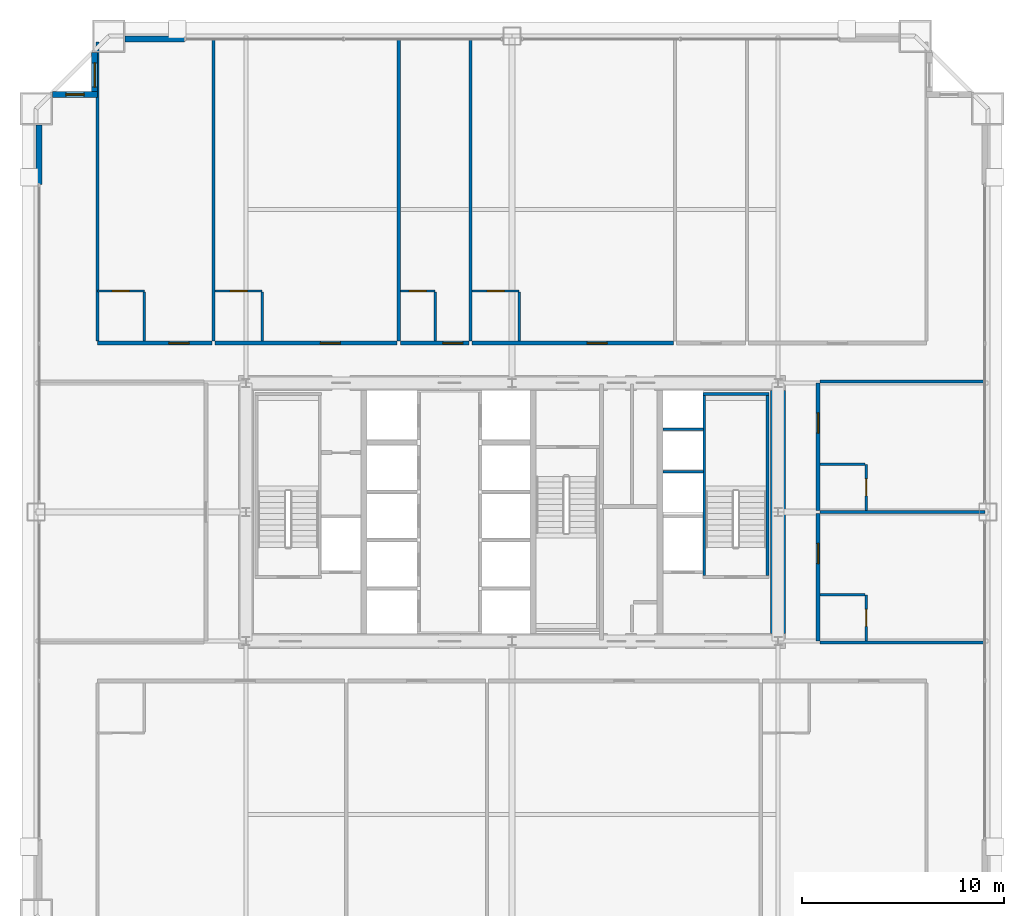
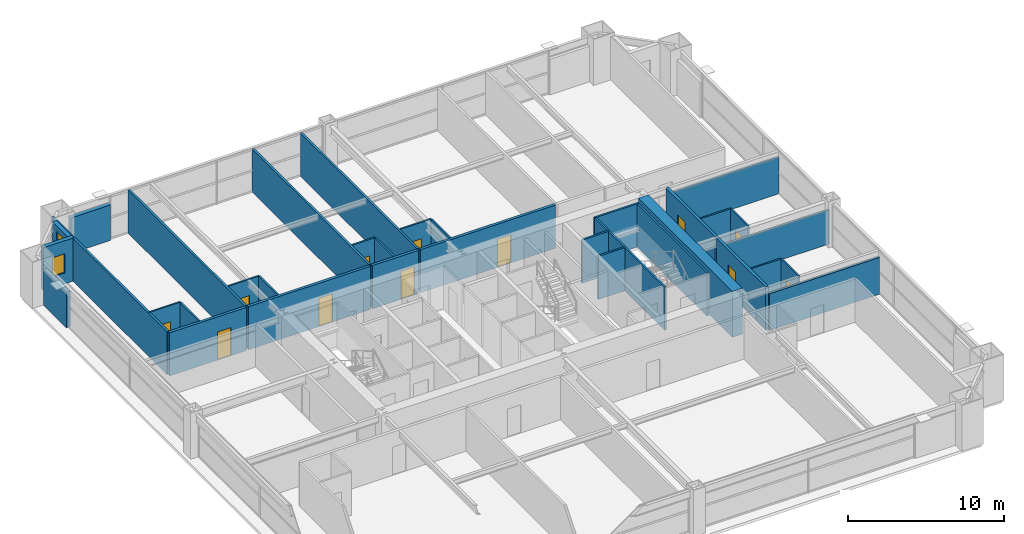
# One storey, part 36 of 38: 35 walls, 12 doors, 2 windows, 14 openings.
"""IFC4 building model written with IfcOpenShell, lengths in metres."""

import ifcopenshell
import ifcopenshell.guid

model = None  # the IFC model being written
_history = None  # IfcOwnerHistory: only IFC2X3 demands one
_inside = {}  # id of a spatial element -> (the spatial element, [elements in it])
_under = {}  # id of a project, library or spatial element -> (it, [spatial elements below it])
_declared = {}  # id of a project -> (the project, [libraries it declares])
_typed = {}  # id of a type object -> (the type object, [elements of that type])
_made_of = {}  # id of a material, layer set ... -> (it, [elements and type objects made of it])


def new_model(schema):
    """Start an empty IFC model of exactly this schema.

    Asked for "IFC4X3", IfcOpenShell would pick the latest addendum, in which some entities
    have other attributes; the version numbers below select the first issue.
    IFC2X3 requires an IfcOwnerHistory on every rooted entity: one is made here for all.
    """
    global model, _history
    if schema == "IFC4X3":
        model = ifcopenshell.file(schema_version=(4, 3, 0, 0))
    else:
        model = ifcopenshell.file(schema=schema)
    _inside.clear()
    _under.clear()
    _declared.clear()
    _typed.clear()
    _made_of.clear()
    _history = None
    if model.schema == "IFC2X3":
        org = make("IfcOrganization", Name="unknown")
        user = make(
            "IfcPersonAndOrganization",
            ThePerson=make("IfcPerson", FamilyName="unknown"),
            TheOrganization=org,
        )
        app = make(
            "IfcApplication",
            ApplicationDeveloper=org,
            Version="unknown",
            ApplicationFullName="unknown",
            ApplicationIdentifier="unknown",
        )
        _history = make(
            "IfcOwnerHistory",
            OwningUser=user,
            OwningApplication=app,
            ChangeAction="ADDED",
            CreationDate=0,
        )
    return model


def make(cls, **values):
    """One entity of the class cls with the attributes given. An attribute that is None is left unset."""
    return model.create_entity(
        cls, **{name: value for name, value in values.items() if value is not None}
    )


def rooted(cls, **values):
    """An entity with a GlobalId (a new one), such as an element, a storey or a relation."""
    return make(cls, GlobalId=ifcopenshell.guid.new(), OwnerHistory=_history, **values)


def si_unit(unit_type, name, prefix=None):
    """IfcSIUnit, for example si_unit("LENGTHUNIT", "METRE", prefix="MILLI")."""
    return make("IfcSIUnit", UnitType=unit_type, Prefix=prefix, Name=name)


def assignment(units):
    """IfcUnitAssignment: the units of a project."""
    return None if units is None else make("IfcUnitAssignment", Units=units)


def point(xyz):
    """IfcCartesianPoint."""
    return None if xyz is None else make("IfcCartesianPoint", Coordinates=xyz)


def direction(xyz):
    """IfcDirection."""
    return None if xyz is None else make("IfcDirection", DirectionRatios=xyz)


def frame(location, z_axis=None, x_axis=None):
    """IfcAxis2Placement3D, a coordinate frame: its origin and axes. An axis left out is left unset."""
    return make(
        "IfcAxis2Placement3D",
        Location=point(location),
        Axis=direction(z_axis),
        RefDirection=direction(x_axis),
    )


def frame_2d(location, x_axis=None):
    """IfcAxis2Placement2D, a coordinate frame in the plane: its origin and x axis."""
    return make(
        "IfcAxis2Placement2D", Location=point(location), RefDirection=direction(x_axis)
    )


def origin():
    """The frame at (0, 0, 0) with its axes left unset."""
    return frame((0.0, 0.0, 0.0))


def place(relative_to, where):
    """IfcLocalPlacement: puts the frame where relative to a parent placement (None: the world)."""
    return make(
        "IfcLocalPlacement", PlacementRelTo=relative_to, RelativePlacement=where
    )


def context(
    kind, dimensions, precision=None, world=None, true_north=None, identifier=None
):
    """IfcGeometricRepresentationContext, for example the 3D "Model" context."""
    return make(
        "IfcGeometricRepresentationContext",
        ContextIdentifier=identifier,
        ContextType=kind,
        CoordinateSpaceDimension=dimensions,
        Precision=precision,
        WorldCoordinateSystem=world,
        TrueNorth=true_north,
    )


def subcontext(parent, identifier, kind, view, scale=None):
    """IfcGeometricRepresentationSubContext, for example "Body" below "Model"."""
    return make(
        "IfcGeometricRepresentationSubContext",
        ContextIdentifier=identifier,
        ContextType=kind,
        ParentContext=parent,
        TargetScale=scale,
        TargetView=view,
    )


def project(units=None, contexts=None):
    """IfcProject with its units and contexts."""
    return rooted(
        "IfcProject",
        Name="project",
        RepresentationContexts=contexts,
        UnitsInContext=assignment(units),
    )


def spatial(cls, under=None, at=None, **own):
    """A site, building, storey or space (cls), placed at a placement, below another one or the project."""
    s = rooted(cls, ObjectPlacement=at, **own)
    if under is not None:
        _under.setdefault(under.id(), (under, []))[1].append(s)
    return s


def profile(cls, at=None, kind="AREA", **sizes):
    """A parametric profile (cls). Its sizes go by their IFC names, for example OverallWidth=200.0."""
    return make(cls, ProfileType=kind, Position=at, **sizes)


def rectangle(**sizes):
    """IfcRectangleProfileDef."""
    return profile("IfcRectangleProfileDef", **sizes)


def extrude(swept, where, along, depth):
    """IfcExtrudedAreaSolid: the profile swept, set in the frame where, extruded along a direction by depth."""
    return make(
        "IfcExtrudedAreaSolid",
        SweptArea=swept,
        Position=where,
        ExtrudedDirection=direction(along),
        Depth=depth,
    )


def shape(context_of_items, identifier, shape_type, items):
    """IfcShapeRepresentation: the items that make up one representation, for example the "Body"."""
    return make(
        "IfcShapeRepresentation",
        ContextOfItems=context_of_items,
        RepresentationIdentifier=identifier,
        RepresentationType=shape_type,
        Items=items,
    )


def source(mapping_origin, context_of_items, identifier, shape_type, items):
    """IfcRepresentationMap: a shape defined once, which mapped items show again and again."""
    return make(
        "IfcRepresentationMap",
        MappingOrigin=mapping_origin,
        MappedRepresentation=shape(context_of_items, identifier, shape_type, items),
    )


def transform(
    local_origin,
    x_axis=None,
    y_axis=None,
    z_axis=None,
    scale=None,
    scale2=None,
    scale3=None,
    uniform=True,
):
    """IfcCartesianTransformationOperator3D, or its non-uniform kind. x_axis, y_axis, z_axis: its Axis1, 2, 3."""
    if uniform:
        return make(
            "IfcCartesianTransformationOperator3D",
            Axis1=direction(x_axis),
            Axis2=direction(y_axis),
            LocalOrigin=point(local_origin),
            Scale=scale,
            Axis3=direction(z_axis),
        )
    return make(
        "IfcCartesianTransformationOperator3DnonUniform",
        Axis1=direction(x_axis),
        Axis2=direction(y_axis),
        LocalOrigin=point(local_origin),
        Scale=scale,
        Axis3=direction(z_axis),
        Scale2=scale2,
        Scale3=scale3,
    )


def mapped(mapping_source, mapping_target):
    """IfcMappedItem: shows the shape of a source again, moved by a transform."""
    return make(
        "IfcMappedItem", MappingSource=mapping_source, MappingTarget=mapping_target
    )


def material(Name=None, Category=None):
    """IfcMaterial."""
    return make("IfcMaterial", Name=Name, Category=Category)


def layer(
    of_material, thickness, ventilated=None, Name=None, Category=None, Priority=None
):
    """IfcMaterialLayer: one layer of a wall or slab, of a material (None: an air gap)."""
    return make(
        "IfcMaterialLayer",
        Material=of_material,
        LayerThickness=thickness,
        IsVentilated=ventilated,
        Name=Name,
        Category=Category,
        Priority=Priority,
    )


def layer_set(layers, Name=None):
    """IfcMaterialLayerSet."""
    return make("IfcMaterialLayerSet", MaterialLayers=layers, LayerSetName=Name)


def made_of(thing, what):
    """Note that an element or type object is made of a material, layer set ...; save() writes the relation."""
    if what is not None:
        _made_of.setdefault(what.id(), (what, []))[1].append(thing)
    return thing


def type_object(cls, material=None, **own):
    """A type object (cls), such as IfcWallType, which elements share."""
    return made_of(rooted(cls, **own), material)


def element(
    cls,
    number,
    at=None,
    inside=None,
    cuts=None,
    type_object=None,
    material=None,
    context=None,
    identifier="Body",
    shape_type=None,
    held_by="IfcProductDefinitionShape",
    body=None,
    shapes=None,
    **own,
):
    """One element of the class cls, such as IfcWall. Its Tag is "e" and its number.

    at: its placement. inside: the storey or other place that contains it. cuts: it is an
    opening in that element (IfcRelVoidsElement). A single representation is given by context,
    identifier, shape_type and body (its items); several are given by shapes. held_by: the class
    of the entity that holds the representations. save() writes the other relations.
    """
    e = rooted(cls, Tag="e%d" % number, ObjectPlacement=at, **own)
    if body is not None:
        shapes = [shape(context, identifier, shape_type, body)]
    if shapes is not None:
        e.Representation = make(held_by, Representations=shapes)
    if inside is not None:
        _inside.setdefault(inside.id(), (inside, []))[1].append(e)
    if cuts is not None:
        rooted(
            "IfcRelVoidsElement", RelatingBuildingElement=cuts, RelatedOpeningElement=e
        )
    if type_object is not None:
        _typed.setdefault(type_object.id(), (type_object, []))[1].append(e)
    return made_of(e, material)


def fill(opening, filler):
    """IfcRelFillsElement: the door or window that sits in an opening."""
    return rooted(
        "IfcRelFillsElement",
        RelatingOpeningElement=opening,
        RelatedBuildingElement=filler,
    )


def aggregate(whole, parts):
    """IfcRelAggregates: a whole, such as a stair, and the parts it consists of."""
    return rooted("IfcRelAggregates", RelatingObject=whole, RelatedObjects=parts)


def save(model, path):
    """Write the relations noted so far, then the file.

    IfcRelAggregates (storeys below a building ...), IfcRelContainedInSpatialStructure (elements
    in a storey), IfcRelDefinesByType, IfcRelAssociatesMaterial and IfcRelDeclares: one each for
    every whole, place, type object, material and project.
    """
    for whole, parts in _under.values():
        aggregate(whole, parts)
    for where, things in _inside.values():
        rooted(
            "IfcRelContainedInSpatialStructure",
            RelatedElements=things,
            RelatingStructure=where,
        )
    for kind, things in _typed.values():
        rooted("IfcRelDefinesByType", RelatedObjects=things, RelatingType=kind)
    for what, things in _made_of.values():
        rooted("IfcRelAssociatesMaterial", RelatedObjects=things, RelatingMaterial=what)
    for by, libraries in _declared.values():
        rooted("IfcRelDeclares", RelatingContext=by, RelatedDefinitions=libraries)
    model.write(path)


model = new_model("IFC4")

# Units and contexts
model_context = context("Model", 3, precision=1e-05, world=origin(), true_north=direction((0.0, 1.0)))
body_context = subcontext(model_context, "Body", "Model", "MODEL_VIEW")
ifc_project = project(units=[si_unit("LENGTHUNIT", "METRE"), si_unit("AREAUNIT", "SQUARE_METRE"), si_unit("VOLUMEUNIT", "CUBIC_METRE"), si_unit("PLANEANGLEUNIT", "RADIAN"), si_unit("MASSUNIT", "GRAM", prefix="KILO"), si_unit("THERMODYNAMICTEMPERATUREUNIT", "KELVIN"), si_unit("POWERUNIT", "WATT")], contexts=[model_context])

# Site, building, storey
site_placement = place(None, origin())
site = spatial("IfcSite", under=ifc_project, at=site_placement, CompositionType="ELEMENT")
building_placement = place(site_placement, origin())
building = spatial("IfcBuilding", under=site, at=building_placement, Name="Yuzanri Waterfront Tower", CompositionType="ELEMENT")
storey_placement = place(building_placement, frame((0.0, 0.0, 119.0)))
storey = spatial("IfcBuildingStorey", under=building, at=storey_placement, Name="L31", CompositionType="ELEMENT", Elevation=119.0)

# Wall, opening, door
ifc_material_1 = material(Name="Moisture-Resistant Gypsum Stud Wall", Category="gypsum")
ifc_layer_1 = layer(ifc_material_1, 0.1201171875)
ifc_layer_set_1 = layer_set([ifc_layer_1], Name="Moisture-Resistant Gypsum Stud Wall")
wall_type_1 = type_object("IfcWallType", Name="Bathroom and Kitchen Wet Partition 120", PredefinedType="PARTITIONING", material=ifc_layer_set_1)
wall_1_placement = place(storey_placement, frame((16.43994140625, 36.760009765625, 0.0), z_axis=(0.0, 0.0, 1.0), x_axis=(1.0, 0.0, 0.0)))
wall_1 = element("IfcWall", 1, at=wall_1_placement, inside=storey, type_object=wall_type_1, Name="L31 Partition UW-L31-N1-BN", PredefinedType="PARTITIONING", context=body_context, shape_type="SweptSolid", body=[
    extrude(rectangle(XDim=2.330078125, YDim=0.1201171875, at=frame_2d((1.1650390625, 0.0))), origin(), (0.0, 0.0, 1.0), 3.3798828125),
])
opening_1_placement = place(wall_1_placement, frame((0.739990234375, 0.0, 0.0)))
opening_1 = element("IfcOpeningElement", 2, at=opening_1_placement, cuts=wall_1, Name="Opening ID-0850", PredefinedType="OPENING", context=body_context, shape_type="SweptSolid", body=[
    extrude(rectangle(XDim=0.85009765625, YDim=2.10009765625, at=frame_2d((0.425048828125, 1.050048828125))), frame((0.0, 0.074951171875, 0.0), z_axis=(0.0, -1.0, 0.0), x_axis=(1.0, 0.0, 0.0)), (0.0, 0.0, 1.0), 0.14990234375),
])
ifc_material_2 = material(Name="Moisture-Resistant Lacquered Timber", Category="wood")
door_type_1 = type_object("IfcDoorType", Name="En-Suite Bathroom and Kitchen Swing Door 850x2100", OperationType="NOTDEFINED", PredefinedType="DOOR", material=ifc_material_2)
shared_shape_1 = source(origin(), body_context, "Body", "SweptSolid", [
    extrude(rectangle(XDim=0.85009765625, YDim=2.10009765625, at=frame_2d((0.425048828125, 1.050048828125))), frame((0.0, 0.02490234375, 0.0), z_axis=(0.0, -1.0, 0.0), x_axis=(1.0, 0.0, 0.0)), (0.0, 0.0, 1.0), 0.050048828125),
])
door_1_placement = place(opening_1_placement, origin())
door_1 = element("IfcDoor", 3, at=door_1_placement, inside=storey, type_object=door_type_1, Name="L31 Guest En-Suite Door", OperationType="SINGLE_SWING_LEFT", OverallHeight=2.10009765625, OverallWidth=0.85009765625, PredefinedType="DOOR", context=body_context, shape_type="MappedRepresentation", body=[
    mapped(shared_shape_1, transform((0.0, 0.0, 0.0), scale=1.0)),
])
fill(opening_1, door_1)

wall_2_placement = place(storey_placement, frame((22.277099609375, 36.760009765625, 0.0), z_axis=(0.0, 0.0, 1.0), x_axis=(1.0, 0.0, 0.0)))
wall_2 = element("IfcWall", 4, at=wall_2_placement, inside=storey, type_object=wall_type_1, Name="L31 Partition UW-L31-N2-BN", PredefinedType="PARTITIONING", context=body_context, shape_type="SweptSolid", body=[
    extrude(rectangle(XDim=2.329833984375, YDim=0.1201171875, at=frame_2d((1.1650390625, 0.0))), origin(), (0.0, 0.0, 1.0), 3.3798828125),
])
opening_2_placement = place(wall_2_placement, frame((0.739990234375, 0.0, 0.0)))
opening_2 = element("IfcOpeningElement", 5, at=opening_2_placement, cuts=wall_2, Name="Opening ID-0850", PredefinedType="OPENING", context=body_context, shape_type="SweptSolid", body=[
    extrude(rectangle(XDim=0.85009765625, YDim=2.10009765625, at=frame_2d((0.425048828125, 1.050048828125))), frame((0.0, 0.074951171875, 0.0), z_axis=(0.0, -1.0, 0.0), x_axis=(1.0, 0.0, 0.0)), (0.0, 0.0, 1.0), 0.14990234375),
])
door_2_placement = place(opening_2_placement, origin())
door_2 = element("IfcDoor", 6, at=door_2_placement, inside=storey, type_object=door_type_1, Name="L31 Guest En-Suite Door", OperationType="SINGLE_SWING_LEFT", OverallHeight=2.10009765625, OverallWidth=0.85009765625, PredefinedType="DOOR", context=body_context, shape_type="MappedRepresentation", body=[
    mapped(shared_shape_1, transform((0.0, 0.0, 0.0), scale=1.0)),
])
fill(opening_2, door_2)

wall_3_placement = place(storey_placement, frame((31.4599609375, 36.760009765625, 0.0), z_axis=(0.0, 0.0, 1.0), x_axis=(1.0, 0.0, 0.0)))
wall_3 = element("IfcWall", 7, at=wall_3_placement, inside=storey, type_object=wall_type_1, Name="L31 Partition UW-L31-N3-BN", PredefinedType="PARTITIONING", context=body_context, shape_type="SweptSolid", body=[
    extrude(rectangle(XDim=1.72998046875, YDim=0.1201171875, at=frame_2d((0.864990234375, 0.0))), origin(), (0.0, 0.0, 1.0), 3.3798828125),
])
opening_3_placement = place(wall_3_placement, frame((0.43994140625, 0.0, 0.0)))
opening_3 = element("IfcOpeningElement", 8, at=opening_3_placement, cuts=wall_3, Name="Opening ID-0850", PredefinedType="OPENING", context=body_context, shape_type="SweptSolid", body=[
    extrude(rectangle(XDim=0.85009765625, YDim=2.10009765625, at=frame_2d((0.425048828125, 1.050048828125))), frame((0.0, 0.074951171875, 0.0), z_axis=(0.0, -1.0, 0.0), x_axis=(1.0, 0.0, 0.0)), (0.0, 0.0, 1.0), 0.14990234375),
])
door_3_placement = place(opening_3_placement, origin())
door_3 = element("IfcDoor", 9, at=door_3_placement, inside=storey, type_object=door_type_1, Name="L31 Guest En-Suite Door", OperationType="SINGLE_SWING_LEFT", OverallHeight=2.10009765625, OverallWidth=0.85009765625, PredefinedType="DOOR", context=body_context, shape_type="MappedRepresentation", body=[
    mapped(shared_shape_1, transform((0.0, 0.0, 0.0), scale=1.0)),
])
fill(opening_3, door_3)

wall_4_placement = place(storey_placement, frame((35.02392578125, 36.760009765625, 0.0), z_axis=(0.0, 0.0, 1.0), x_axis=(1.0, 0.0, 0.0)))
wall_4 = element("IfcWall", 10, at=wall_4_placement, inside=storey, type_object=wall_type_1, Name="L31 Partition UW-L31-N4-BN", PredefinedType="PARTITIONING", context=body_context, shape_type="SweptSolid", body=[
    extrude(rectangle(XDim=2.330078125, YDim=0.1201171875, at=frame_2d((1.1650390625, 0.0))), origin(), (0.0, 0.0, 1.0), 3.3798828125),
])
opening_4_placement = place(wall_4_placement, frame((0.739990234375, 0.0, 0.0)))
opening_4 = element("IfcOpeningElement", 11, at=opening_4_placement, cuts=wall_4, Name="Opening ID-0850", PredefinedType="OPENING", context=body_context, shape_type="SweptSolid", body=[
    extrude(rectangle(XDim=0.85009765625, YDim=2.10009765625, at=frame_2d((0.425048828125, 1.050048828125))), frame((0.0, 0.074951171875, 0.0), z_axis=(0.0, -1.0, 0.0), x_axis=(1.0, 0.0, 0.0)), (0.0, 0.0, 1.0), 0.14990234375),
])
door_4_placement = place(opening_4_placement, origin())
door_4 = element("IfcDoor", 12, at=door_4_placement, inside=storey, type_object=door_type_1, Name="L31 Guest En-Suite Door", OperationType="SINGLE_SWING_LEFT", OverallHeight=2.10009765625, OverallWidth=0.85009765625, PredefinedType="DOOR", context=body_context, shape_type="MappedRepresentation", body=[
    mapped(shared_shape_1, transform((0.0, 0.0, 0.0), scale=1.0)),
])
fill(opening_4, door_4)

wall_5_placement = place(storey_placement, frame((54.56005859375, 19.409912109375, 0.0), z_axis=(0.0, 0.0, 1.0), x_axis=(0.0, 1.0, 0.0)))
wall_5 = element("IfcWall", 13, at=wall_5_placement, inside=storey, type_object=wall_type_1, Name="L31 Partition UW-L31-E1-BE2", PredefinedType="PARTITIONING", context=body_context, shape_type="SweptSolid", body=[
    extrude(rectangle(XDim=2.280029296875, YDim=0.1201171875, at=frame_2d((1.14013671875, 0.0))), origin(), (0.0, 0.0, 1.0), 3.3798828125),
])
opening_5_placement = place(wall_5_placement, frame((0.715087890625, 0.0, 0.0)))
opening_5 = element("IfcOpeningElement", 14, at=opening_5_placement, cuts=wall_5, Name="Opening ID-0850", PredefinedType="OPENING", context=body_context, shape_type="SweptSolid", body=[
    extrude(rectangle(XDim=0.85009765625, YDim=2.10009765625, at=frame_2d((0.425048828125, 1.050048828125))), frame((0.0, 0.074951171875, 0.0), z_axis=(0.0, -1.0, 0.0), x_axis=(1.0, 0.0, 0.0)), (0.0, 0.0, 1.0), 0.14990234375),
])
door_5_placement = place(opening_5_placement, origin())
door_5 = element("IfcDoor", 15, at=door_5_placement, inside=storey, type_object=door_type_1, Name="L31 Guest En-Suite Door", OperationType="SINGLE_SWING_RIGHT", OverallHeight=2.10009765625, OverallWidth=0.85009765625, PredefinedType="DOOR", context=body_context, shape_type="MappedRepresentation", body=[
    mapped(shared_shape_1, transform((0.0, 0.0, 0.0), scale=1.0)),
])
fill(opening_5, door_5)

wall_6_placement = place(storey_placement, frame((54.56005859375, 25.8798828125, 0.0), z_axis=(0.0, 0.0, 1.0), x_axis=(0.0, 1.0, 0.0)))
wall_6 = element("IfcWall", 16, at=wall_6_placement, inside=storey, type_object=wall_type_1, Name="L31 Partition UW-L31-E2-BE2", PredefinedType="PARTITIONING", context=body_context, shape_type="SweptSolid", body=[
    extrude(rectangle(XDim=2.280029296875, YDim=0.1201171875, at=frame_2d((1.14013671875, 0.0))), origin(), (0.0, 0.0, 1.0), 3.3798828125),
])
opening_6_placement = place(wall_6_placement, frame((0.715087890625, 0.0, 0.0)))
opening_6 = element("IfcOpeningElement", 17, at=opening_6_placement, cuts=wall_6, Name="Opening ID-0850", PredefinedType="OPENING", context=body_context, shape_type="SweptSolid", body=[
    extrude(rectangle(XDim=0.85009765625, YDim=2.10009765625, at=frame_2d((0.425048828125, 1.050048828125))), frame((0.0, 0.074951171875, 0.0), z_axis=(0.0, -1.0, 0.0), x_axis=(1.0, 0.0, 0.0)), (0.0, 0.0, 1.0), 0.14990234375),
])
door_6_placement = place(opening_6_placement, origin())
door_6 = element("IfcDoor", 18, at=door_6_placement, inside=storey, type_object=door_type_1, Name="L31 Guest En-Suite Door", OperationType="SINGLE_SWING_RIGHT", OverallHeight=2.10009765625, OverallWidth=0.85009765625, PredefinedType="DOOR", context=body_context, shape_type="MappedRepresentation", body=[
    mapped(shared_shape_1, transform((0.0, 0.0, 0.0), scale=1.0)),
])
fill(opening_6, door_6)

# Wall, opening, window
ifc_material_3 = material(Name="Honed Chongqing Dark Basalt Stone", Category="masonry")
ifc_layer_2 = layer(ifc_material_3, 0.300048828125)
ifc_layer_set_2 = layer_set([ifc_layer_2], Name="Honed Chongqing Dark Basalt Stone")
wall_type_2 = type_object("IfcWallType", Name="Bronze Rainscreen Insulated Spandrel Portal Wall 300", PredefinedType="SOLIDWALL", material=ifc_layer_set_2)
wall_7_placement = place(storey_placement, frame((16.449951171875, 46.5, 0.0), z_axis=(0.0, 0.0, 1.0), x_axis=(-1.0, 0.0, 0.0)))
wall_7 = element("IfcWall", 19, at=wall_7_placement, inside=storey, type_object=wall_type_2, Name="L31 Notched Corner Masonry Wall NW-X", PredefinedType="SOLIDWALL", context=body_context, shape_type="SweptSolid", body=[
    extrude(rectangle(XDim=2.25, YDim=0.300048828125, at=frame_2d((1.125, 0.0))), origin(), (0.0, 0.0, 1.0), 3.3798828125),
])
opening_7_placement = place(wall_7_placement, frame((0.675048828125, 0.0, 0.85009765625)))
opening_7 = element("IfcOpeningElement", 20, at=opening_7_placement, cuts=wall_7, Name="Opening WN-05", PredefinedType="OPENING", context=body_context, shape_type="SweptSolid", body=[
    extrude(rectangle(XDim=0.89990234375, YDim=1.5, at=frame_2d((0.449951171875, 0.75))), frame((0.0, 0.1650390625, 0.0), z_axis=(0.0, -1.0, 0.0), x_axis=(1.0, 0.0, 0.0)), (0.0, 0.0, 1.0), 0.329833984375),
])
ifc_material_4 = material(Name="Double-Silver Low-E Insulated Glass", Category="glass")
window_type_1 = type_object("IfcWindowType", Name="Anodized Bronze Service and Stairwell Smoke-Vent Window 900x1500", PartitioningType="SINGLE_PANEL", PredefinedType="WINDOW", material=ifc_material_4)
shared_shape_2 = source(origin(), body_context, "Body", "SweptSolid", [
    extrude(rectangle(XDim=0.89990234375, YDim=1.5, at=frame_2d((0.449951171875, 0.75))), frame((0.0, 0.030029296875, 0.0), z_axis=(0.0, -1.0, 0.0), x_axis=(1.0, 0.0, 0.0)), (0.0, 0.0, 1.0), 0.06005859375),
])
window_1_placement = place(opening_7_placement, origin())
window_1 = element("IfcWindow", 21, at=window_1_placement, inside=storey, type_object=window_type_1, Name="L31 Notched Corner Window NW-X", OverallHeight=1.5, OverallWidth=0.89990234375, PartitioningType="SINGLE_PANEL", PredefinedType="WINDOW", context=body_context, shape_type="MappedRepresentation", body=[
    mapped(shared_shape_2, transform((0.0, 0.0, 0.0), scale=1.0)),
])
fill(opening_7, window_1)

wall_8_placement = place(storey_placement, frame((16.300048828125, 48.60009765625, 0.0), z_axis=(0.0, 0.0, 1.0), x_axis=(0.0, -1.0, 0.0)))
wall_8 = element("IfcWall", 22, at=wall_8_placement, inside=storey, type_object=wall_type_2, Name="L31 Notched Corner Masonry Wall NW-Y", PredefinedType="SOLIDWALL", context=body_context, shape_type="SweptSolid", body=[
    extrude(rectangle(XDim=2.25, YDim=0.300048828125, at=frame_2d((1.125, 0.0))), origin(), (0.0, 0.0, 1.0), 3.3798828125),
])
opening_8_placement = place(wall_8_placement, frame((0.52490234375, 0.0, 0.85009765625)))
opening_8 = element("IfcOpeningElement", 23, at=opening_8_placement, cuts=wall_8, Name="Opening WN-02", PredefinedType="OPENING", context=body_context, shape_type="SweptSolid", body=[
    extrude(rectangle(XDim=1.199951171875, YDim=2.10009765625, at=frame_2d((0.60009765625, 1.050048828125))), frame((0.0, 0.1650390625, 0.0), z_axis=(0.0, -1.0, 0.0), x_axis=(1.0, 0.0, 0.0)), (0.0, 0.0, 1.0), 0.329833984375),
])
ifc_material_5 = material(Name="Double-Silver Low-E Insulated Glass", Category="glass")
window_type_2 = type_object("IfcWindowType", Name="Anodized Bronze Notched Corner Deep-Set Slot Window 1200x2100", PartitioningType="SINGLE_PANEL", PredefinedType="WINDOW", material=ifc_material_5)
shared_shape_3 = source(origin(), body_context, "Body", "SweptSolid", [
    extrude(rectangle(XDim=1.199951171875, YDim=2.10009765625, at=frame_2d((0.60009765625, 1.050048828125))), frame((0.0, 0.030029296875, 0.0), z_axis=(0.0, -1.0, 0.0), x_axis=(1.0, 0.0, 0.0)), (0.0, 0.0, 1.0), 0.06005859375),
])
window_2_placement = place(opening_8_placement, origin())
window_2 = element("IfcWindow", 24, at=window_2_placement, inside=storey, type_object=window_type_2, Name="L31 Notched Corner Window NW-Y", OverallHeight=2.10009765625, OverallWidth=1.199951171875, PartitioningType="SINGLE_PANEL", PredefinedType="WINDOW", context=body_context, shape_type="MappedRepresentation", body=[
    mapped(shared_shape_3, transform((0.0, 0.0, 0.0), scale=1.0)),
])
fill(opening_8, window_2)

# Wall, opening, door
ifc_material_6 = material(Name="Autoclaved Aerated Concrete Blockwork", Category="masonry")
ifc_layer_3 = layer(ifc_material_6, 0.199951171875)
ifc_layer_set_3 = layer_set([ifc_layer_3], Name="Autoclaved Aerated Concrete Blockwork")
wall_type_3 = type_object("IfcWallType", Name="Corridor and Unit Party Fire Wall 200", PredefinedType="PARTITIONING", material=ifc_layer_set_3)
wall_9_placement = place(storey_placement, frame((16.43994140625, 34.179931640625, 0.0), z_axis=(0.0, 0.0, 1.0), x_axis=(1.0, 0.0, 0.0)))
wall_9 = element("IfcWall", 25, at=wall_9_placement, inside=storey, type_object=wall_type_3, Name="L31 Partition UW-L31-N1-CS", PredefinedType="PARTITIONING", context=body_context, shape_type="SweptSolid", body=[
    extrude(rectangle(XDim=5.677001953125, YDim=0.199951171875, at=frame_2d((2.83837890625, 0.0))), origin(), (0.0, 0.0, 1.0), 3.3798828125),
])
opening_9_placement = place(wall_9_placement, frame((3.54296875, 0.0, 0.0)))
opening_9 = element("IfcOpeningElement", 26, at=opening_9_placement, cuts=wall_9, Name="Opening FD-1000", PredefinedType="OPENING", context=body_context, shape_type="SweptSolid", body=[
    extrude(rectangle(XDim=1.0, YDim=2.199951171875, at=frame_2d((0.5, 1.10009765625))), frame((0.0, 0.11474609375, 0.0), z_axis=(0.0, -1.0, 0.0), x_axis=(1.0, 0.0, 0.0)), (0.0, 0.0, 1.0), 0.229736328125),
])
ifc_material_7 = material(Name="Engineered Oak Fire-Rated Timber", Category="wood")
door_type_2 = type_object("IfcDoorType", Name="Guestroom and Apartment Entrance Fire Door 1000x2200", OperationType="NOTDEFINED", PredefinedType="DOOR", material=ifc_material_7)
shared_shape_4 = source(origin(), body_context, "Body", "SweptSolid", [
    extrude(rectangle(XDim=1.0, YDim=2.199951171875, at=frame_2d((0.5, 1.10009765625))), frame((0.0, 0.02490234375, 0.0), z_axis=(0.0, -1.0, 0.0), x_axis=(1.0, 0.0, 0.0)), (0.0, 0.0, 1.0), 0.050048828125),
])
door_7_placement = place(opening_9_placement, origin())
door_7 = element("IfcDoor", 27, at=door_7_placement, inside=storey, type_object=door_type_2, Name="L31 Executive Suite Entrance Door", OperationType="SINGLE_SWING_RIGHT", OverallHeight=2.199951171875, OverallWidth=1.0, PredefinedType="DOOR", context=body_context, shape_type="MappedRepresentation", body=[
    mapped(shared_shape_4, transform((0.0, 0.0, 0.0), scale=1.0)),
])
fill(opening_9, door_7)

wall_10_placement = place(storey_placement, frame((22.277099609375, 34.179931640625, 0.0), z_axis=(0.0, 0.0, 1.0), x_axis=(1.0, 0.0, 0.0)))
wall_10 = element("IfcWall", 28, at=wall_10_placement, inside=storey, type_object=wall_type_3, Name="L31 Partition UW-L31-N2-CS", PredefinedType="PARTITIONING", context=body_context, shape_type="SweptSolid", body=[
    extrude(rectangle(XDim=9.02294921875, YDim=0.199951171875, at=frame_2d((4.511474609375, 0.0))), origin(), (0.0, 0.0, 1.0), 3.3798828125),
])
opening_10_placement = place(wall_10_placement, frame((5.217041015625, 0.0, 0.0)))
opening_10 = element("IfcOpeningElement", 29, at=opening_10_placement, cuts=wall_10, Name="Opening FD-1000", PredefinedType="OPENING", context=body_context, shape_type="SweptSolid", body=[
    extrude(rectangle(XDim=1.0, YDim=2.199951171875, at=frame_2d((0.5, 1.10009765625))), frame((0.0, 0.11474609375, 0.0), z_axis=(0.0, -1.0, 0.0), x_axis=(1.0, 0.0, 0.0)), (0.0, 0.0, 1.0), 0.229736328125),
])
door_8_placement = place(opening_10_placement, origin())
door_8 = element("IfcDoor", 30, at=door_8_placement, inside=storey, type_object=door_type_2, Name="L31 Executive Suite Entrance Door", OperationType="SINGLE_SWING_RIGHT", OverallHeight=2.199951171875, OverallWidth=1.0, PredefinedType="DOOR", context=body_context, shape_type="MappedRepresentation", body=[
    mapped(shared_shape_4, transform((0.0, 0.0, 0.0), scale=1.0)),
])
fill(opening_10, door_8)

wall_11_placement = place(storey_placement, frame((31.4599609375, 34.179931640625, 0.0), z_axis=(0.0, 0.0, 1.0), x_axis=(1.0, 0.0, 0.0)))
wall_11 = element("IfcWall", 31, at=wall_11_placement, inside=storey, type_object=wall_type_3, Name="L31 Partition UW-L31-N3-CS", PredefinedType="PARTITIONING", context=body_context, shape_type="SweptSolid", body=[
    extrude(rectangle(XDim=3.404052734375, YDim=0.199951171875, at=frame_2d((1.7021484375, 0.0))), origin(), (0.0, 0.0, 1.0), 3.3798828125),
])
opening_11_placement = place(wall_11_placement, frame((2.10693359375, 0.0, 0.0)))
opening_11 = element("IfcOpeningElement", 32, at=opening_11_placement, cuts=wall_11, Name="Opening FD-1000", PredefinedType="OPENING", context=body_context, shape_type="SweptSolid", body=[
    extrude(rectangle(XDim=1.0, YDim=2.199951171875, at=frame_2d((0.5, 1.10009765625))), frame((0.0, 0.11474609375, 0.0), z_axis=(0.0, -1.0, 0.0), x_axis=(1.0, 0.0, 0.0)), (0.0, 0.0, 1.0), 0.229736328125),
])
door_9_placement = place(opening_11_placement, origin())
door_9 = element("IfcDoor", 33, at=door_9_placement, inside=storey, type_object=door_type_2, Name="L31 Executive Suite Entrance Door", OperationType="SINGLE_SWING_RIGHT", OverallHeight=2.199951171875, OverallWidth=1.0, PredefinedType="DOOR", context=body_context, shape_type="MappedRepresentation", body=[
    mapped(shared_shape_4, transform((0.0, 0.0, 0.0), scale=1.0)),
])
fill(opening_11, door_9)

wall_12_placement = place(storey_placement, frame((35.02392578125, 34.179931640625, 0.0), z_axis=(0.0, 0.0, 1.0), x_axis=(1.0, 0.0, 0.0)))
wall_12 = element("IfcWall", 34, at=wall_12_placement, inside=storey, type_object=wall_type_3, Name="L31 Partition UW-L31-N4-CS", PredefinedType="PARTITIONING", context=body_context, shape_type="SweptSolid", body=[
    extrude(rectangle(XDim=9.983154296875, YDim=0.199951171875, at=frame_2d((4.99169921875, 0.0))), origin(), (0.0, 0.0, 1.0), 3.3798828125),
])
opening_12_placement = place(wall_12_placement, frame((5.697021484375, 0.0, 0.0)))
opening_12 = element("IfcOpeningElement", 35, at=opening_12_placement, cuts=wall_12, Name="Opening FD-1000", PredefinedType="OPENING", context=body_context, shape_type="SweptSolid", body=[
    extrude(rectangle(XDim=1.0, YDim=2.199951171875, at=frame_2d((0.5, 1.10009765625))), frame((0.0, 0.11474609375, 0.0), z_axis=(0.0, -1.0, 0.0), x_axis=(1.0, 0.0, 0.0)), (0.0, 0.0, 1.0), 0.229736328125),
])
door_10_placement = place(opening_12_placement, origin())
door_10 = element("IfcDoor", 36, at=door_10_placement, inside=storey, type_object=door_type_2, Name="L31 Executive Suite Entrance Door", OperationType="SINGLE_SWING_RIGHT", OverallHeight=2.199951171875, OverallWidth=1.0, PredefinedType="DOOR", context=body_context, shape_type="MappedRepresentation", body=[
    mapped(shared_shape_4, transform((0.0, 0.0, 0.0), scale=1.0)),
])
fill(opening_12, door_10)

wall_13_placement = place(storey_placement, frame((52.179931640625, 19.409912109375, 0.0), z_axis=(0.0, 0.0, 1.0), x_axis=(0.0, 1.0, 0.0)))
wall_13 = element("IfcWall", 37, at=wall_13_placement, inside=storey, type_object=wall_type_3, Name="L31 Partition UW-L31-E1-CW", PredefinedType="PARTITIONING", context=body_context, shape_type="SweptSolid", body=[
    extrude(rectangle(XDim=6.31005859375, YDim=0.199951171875, at=frame_2d((3.155029296875, 0.0))), origin(), (0.0, 0.0, 1.0), 3.3798828125),
])
opening_13_placement = place(wall_13_placement, frame((3.8349609375, 0.0, 0.0)))
opening_13 = element("IfcOpeningElement", 38, at=opening_13_placement, cuts=wall_13, Name="Opening FD-1000", PredefinedType="OPENING", context=body_context, shape_type="SweptSolid", body=[
    extrude(rectangle(XDim=1.0, YDim=2.199951171875, at=frame_2d((0.5, 1.10009765625))), frame((0.0, 0.11474609375, 0.0), z_axis=(0.0, -1.0, 0.0), x_axis=(1.0, 0.0, 0.0)), (0.0, 0.0, 1.0), 0.229736328125),
])
door_11_placement = place(opening_13_placement, origin())
door_11 = element("IfcDoor", 39, at=door_11_placement, inside=storey, type_object=door_type_2, Name="L31 East Guest Room Entrance Door", OperationType="SINGLE_SWING_LEFT", OverallHeight=2.199951171875, OverallWidth=1.0, PredefinedType="DOOR", context=body_context, shape_type="MappedRepresentation", body=[
    mapped(shared_shape_4, transform((0.0, 0.0, 0.0), scale=1.0)),
])
fill(opening_13, door_11)

wall_14_placement = place(storey_placement, frame((52.179931640625, 25.8798828125, 0.0), z_axis=(0.0, 0.0, 1.0), x_axis=(0.0, 1.0, 0.0)))
wall_14 = element("IfcWall", 40, at=wall_14_placement, inside=storey, type_object=wall_type_3, Name="L31 Partition UW-L31-E2-CW", PredefinedType="PARTITIONING", context=body_context, shape_type="SweptSolid", body=[
    extrude(rectangle(XDim=6.31005859375, YDim=0.199951171875, at=frame_2d((3.155029296875, 0.0))), origin(), (0.0, 0.0, 1.0), 3.3798828125),
])
opening_14_placement = place(wall_14_placement, frame((3.8349609375, 0.0, 0.0)))
opening_14 = element("IfcOpeningElement", 41, at=opening_14_placement, cuts=wall_14, Name="Opening FD-1000", PredefinedType="OPENING", context=body_context, shape_type="SweptSolid", body=[
    extrude(rectangle(XDim=1.0, YDim=2.199951171875, at=frame_2d((0.5, 1.10009765625))), frame((0.0, 0.11474609375, 0.0), z_axis=(0.0, -1.0, 0.0), x_axis=(1.0, 0.0, 0.0)), (0.0, 0.0, 1.0), 0.229736328125),
])
door_12_placement = place(opening_14_placement, origin())
door_12 = element("IfcDoor", 42, at=door_12_placement, inside=storey, type_object=door_type_2, Name="L31 East Guest Room Entrance Door", OperationType="SINGLE_SWING_LEFT", OverallHeight=2.199951171875, OverallWidth=1.0, PredefinedType="DOOR", context=body_context, shape_type="MappedRepresentation", body=[
    mapped(shared_shape_4, transform((0.0, 0.0, 0.0), scale=1.0)),
])
fill(opening_14, door_12)

# Walls
ifc_material_8 = material(Name="Concrete C55", Category="concrete")
ifc_layer_4 = layer(ifc_material_8, 0.75)
ifc_layer_set_4 = layer_set([ifc_layer_4], Name="Concrete C55")
wall_type_4 = type_object("IfcWallType", Name="Concrete C55 Low-Mid Zone Core Shear Wall 750", PredefinedType="SHEAR", material=ifc_layer_set_4)
shared_shape_5 = source(origin(), body_context, "Body", "SweptSolid", [
    extrude(rectangle(XDim=12.050048828125, YDim=0.75, at=frame_2d((6.02490234375, 0.0))), origin(), (0.0, 0.0, 1.0), 3.60009765625),
])
wall_15_placement = place(storey_placement, frame((50.199951171875, 19.77490234375, 0.0), z_axis=(0.0, 0.0, 1.0), x_axis=(0.0, 1.0, 0.0)))
element("IfcWall", 43, at=wall_15_placement, inside=storey, type_object=wall_type_4, Name="L31 Core East Shear Wall", PredefinedType="SHEAR", context=body_context, shape_type="MappedRepresentation", body=[
    mapped(shared_shape_5, transform((0.0, 0.0, 0.0), scale=1.0)),
])
shared_shape_6 = source(origin(), body_context, "Body", "SweptSolid", [
    extrude(rectangle(XDim=2.949951171875, YDim=0.300048828125, at=frame_2d((1.47509765625, 0.0))), origin(), (0.0, 0.0, 1.0), 2.77490234375),
])
for number, where, z_axis, x_axis, name in (
    (44, (17.800048828125, 49.25, 0.0), (0.0, 0.0, 1.0), (1.0, 0.0, 0.0), "L31 N Left Braced Masonry Shoulder"),
    (45, (13.550048828125, 42.050048828125, 0.0), (0.0, 0.0, 1.0), (0.0, 1.0, 0.0), "L31 W Right Braced Masonry Shoulder"),
):
    element("IfcWall", number, at=place(storey_placement, frame(where, z_axis=z_axis, x_axis=x_axis)), inside=storey, type_object=wall_type_2, Name=name, PredefinedType="SOLIDWALL", context=body_context, shape_type="MappedRepresentation", body=[
        mapped(shared_shape_6, transform((0.0, 0.0, 0.0), scale=1.0)),
    ])
ifc_material_9 = material(Name="Concrete C40", Category="concrete")
ifc_layer_5 = layer(ifc_material_9, 0.139892578125)
ifc_layer_set_5 = layer_set([ifc_layer_5], Name="Concrete C40")
wall_type_5 = type_object("IfcWallType", Name="Core Stair Liner and Hoistway Shaft Wall 140", PredefinedType="SOLIDWALL", material=ifc_layer_set_5)
shared_shape_7 = source(origin(), body_context, "Body", "SweptSolid", [
    extrude(rectangle(XDim=2.0, YDim=0.139892578125, at=frame_2d((1.0, 0.0))), origin(), (0.0, 0.0, 1.0), 3.3798828125),
])
for number, where, z_axis, x_axis, name in (
    (46, (44.5, 27.800048828125, 0.0), (0.0, 0.0, 1.0), (1.0, 0.0, 0.0), "L31 Lift PL-09 Divider Wall"),
    (47, (44.5, 29.89990234375, 0.0), (0.0, 0.0, 1.0), (1.0, 0.0, 0.0), "L31 Lift PL-10 Divider Wall"),
):
    element("IfcWall", number, at=place(storey_placement, frame(where, z_axis=z_axis, x_axis=x_axis)), inside=storey, type_object=wall_type_5, Name=name, PredefinedType="SOLIDWALL", context=body_context, shape_type="MappedRepresentation", body=[
        mapped(shared_shape_7, transform((0.0, 0.0, 0.0), scale=1.0)),
    ])
shared_shape_8 = source(origin(), body_context, "Body", "SweptSolid", [
    extrude(rectangle(XDim=3.280029296875, YDim=0.139892578125, at=frame_2d((1.64013671875, 0.0))), origin(), (0.0, 0.0, 1.0), 3.3798828125),
])
wall_16_placement = place(storey_placement, frame((46.4599609375, 31.64990234375, 0.0), z_axis=(0.0, 0.0, 1.0), x_axis=(1.0, 0.0, 0.0)))
element("IfcWall", 48, at=wall_16_placement, inside=storey, type_object=wall_type_5, Name="L31 Stair ST-02 North Shaft Wall", PredefinedType="SOLIDWALL", context=body_context, shape_type="MappedRepresentation", body=[
    mapped(shared_shape_8, transform((0.0, 0.0, 0.0), scale=1.0)),
])
shared_shape_9 = source(origin(), body_context, "Body", "SweptSolid", [
    extrude(rectangle(XDim=8.940185546875, YDim=0.139892578125, at=frame_2d((4.47021484375, 0.0))), origin(), (0.0, 0.0, 1.0), 3.3798828125),
])
for number, where, z_axis, x_axis, name in (
    (49, (46.530029296875, 22.639892578125, 0.0), (0.0, 0.0, 1.0), (0.0, 1.0, 0.0), "L31 Stair ST-02 West Shaft Wall"),
    (50, (49.669921875, 22.639892578125, 0.0), (0.0, 0.0, 1.0), (0.0, 1.0, 0.0), "L31 Stair ST-02 East Shaft Wall"),
):
    element("IfcWall", number, at=place(storey_placement, frame(where, z_axis=z_axis, x_axis=x_axis)), inside=storey, type_object=wall_type_5, Name=name, PredefinedType="SOLIDWALL", context=body_context, shape_type="MappedRepresentation", body=[
        mapped(shared_shape_9, transform((0.0, 0.0, 0.0), scale=1.0)),
    ])
shared_shape_10 = source(origin(), body_context, "Body", "SweptSolid", [
    extrude(rectangle(XDim=2.419921875, YDim=0.1201171875, at=frame_2d((1.2099609375, 0.0))), origin(), (0.0, 0.0, 1.0), 3.3798828125),
])
for number, where, z_axis, x_axis, name in (
    (51, (18.77001953125, 34.280029296875, 0.0), (0.0, 0.0, 1.0), (0.0, 1.0, 0.0), "L31-N1 En-Suite Side Wall"),
    (52, (24.60693359375, 34.280029296875, 0.0), (0.0, 0.0, 1.0), (0.0, 1.0, 0.0), "L31-N2 En-Suite Side Wall"),
    (53, (33.18994140625, 34.280029296875, 0.0), (0.0, 0.0, 1.0), (0.0, 1.0, 0.0), "L31-N3 En-Suite Side Wall"),
    (54, (37.35400390625, 34.280029296875, 0.0), (0.0, 0.0, 1.0), (0.0, 1.0, 0.0), "L31-N4 En-Suite Side Wall"),
):
    element("IfcWall", number, at=place(storey_placement, frame(where, z_axis=z_axis, x_axis=x_axis)), inside=storey, type_object=wall_type_1, Name=name, PredefinedType="PARTITIONING", context=body_context, shape_type="MappedRepresentation", body=[
        mapped(shared_shape_10, transform((0.0, 0.0, 0.0), scale=1.0)),
    ])
shared_shape_11 = source(origin(), body_context, "Body", "SweptSolid", [
    extrude(rectangle(XDim=2.219970703125, YDim=0.1201171875, at=frame_2d((1.10986328125, 0.0))), origin(), (0.0, 0.0, 1.0), 3.3798828125),
])
for number, where, z_axis, x_axis, name in (
    (55, (52.280029296875, 21.68994140625, 0.0), (0.0, 0.0, 1.0), (1.0, 0.0, 0.0), "L31-E1 En-Suite Top Wall"),
    (56, (52.280029296875, 28.159912109375, 0.0), (0.0, 0.0, 1.0), (1.0, 0.0, 0.0), "L31-E2 En-Suite Top Wall"),
):
    element("IfcWall", number, at=place(storey_placement, frame(where, z_axis=z_axis, x_axis=x_axis)), inside=storey, type_object=wall_type_1, Name=name, PredefinedType="PARTITIONING", context=body_context, shape_type="MappedRepresentation", body=[
        mapped(shared_shape_11, transform((0.0, 0.0, 0.0), scale=1.0)),
    ])
ifc_material_10 = material(Name="Gypsum Fireboard Acoustic Stud Wall", Category="gypsum")
ifc_layer_6 = layer(ifc_material_10, 0.159912109375)
ifc_layer_set_6 = layer_set([ifc_layer_6], Name="Gypsum Fireboard Acoustic Stud Wall")
wall_type_6 = type_object("IfcWallType", Name="Acoustic Suite Demising Partition 160", PredefinedType="PARTITIONING", material=ifc_layer_set_6)
shared_shape_12 = source(origin(), body_context, "Body", "SweptSolid", [
    extrude(rectangle(XDim=8.169921875, YDim=0.159912109375, at=frame_2d((4.0849609375, 0.0))), origin(), (0.0, 0.0, 1.0), 2.675048828125),
])
wall_17_placement = place(storey_placement, frame((52.280029296875, 25.800048828125, 0.0), z_axis=(0.0, 0.0, 1.0), x_axis=(1.0, 0.0, 0.0)))
element("IfcWall", 57, at=wall_17_placement, inside=storey, type_object=wall_type_6, Name="L31-E1 Wing Party Wall", PredefinedType="PARTITIONING", context=body_context, shape_type="MappedRepresentation", body=[
    mapped(shared_shape_12, transform((0.0, 0.0, 0.0), scale=1.0)),
])
shared_shape_13 = source(origin(), body_context, "Body", "SweptSolid", [
    extrude(rectangle(XDim=8.169921875, YDim=0.159912109375, at=frame_2d((4.0849609375, 0.0))), origin(), (0.0, 0.0, 1.0), 2.875),
])
for number, where, z_axis, x_axis, name in (
    (58, (52.280029296875, 19.330078125, 0.0), (0.0, 0.0, 1.0), (1.0, 0.0, 0.0), "L31-E1 Wing South End Wall"),
    (59, (52.280029296875, 32.27001953125, 0.0), (0.0, 0.0, 1.0), (1.0, 0.0, 0.0), "L31-E2 Wing North End Wall"),
):
    element("IfcWall", number, at=place(storey_placement, frame(where, z_axis=z_axis, x_axis=x_axis)), inside=storey, type_object=wall_type_6, Name=name, PredefinedType="PARTITIONING", context=body_context, shape_type="MappedRepresentation", body=[
        mapped(shared_shape_13, transform((0.0, 0.0, 0.0), scale=1.0)),
    ])
shared_shape_14 = source(origin(), body_context, "Body", "SweptSolid", [
    extrude(rectangle(XDim=14.969970703125, YDim=0.159912109375, at=frame_2d((7.48486328125, 0.0))), origin(), (0.0, 0.0, 1.0), 3.3798828125),
])
for number, where, z_axis, x_axis, name in (
    (60, (22.197021484375, 34.280029296875, 0.0), (0.0, 0.0, 1.0), (0.0, 1.0, 0.0), "L31-N1 Party Wall"),
    (61, (31.3798828125, 34.280029296875, 0.0), (0.0, 0.0, 1.0), (0.0, 1.0, 0.0), "L31-N2 Party Wall"),
    (62, (34.944091796875, 34.280029296875, 0.0), (0.0, 0.0, 1.0), (0.0, 1.0, 0.0), "L31-N3 Party Wall"),
):
    element("IfcWall", number, at=place(storey_placement, frame(where, z_axis=z_axis, x_axis=x_axis)), inside=storey, type_object=wall_type_6, Name=name, PredefinedType="PARTITIONING", context=body_context, shape_type="MappedRepresentation", body=[
        mapped(shared_shape_14, transform((0.0, 0.0, 0.0), scale=1.0)),
    ])
shared_shape_15 = source(origin(), body_context, "Body", "SweptSolid", [
    extrude(rectangle(XDim=14.820068359375, YDim=0.159912109375, at=frame_2d((7.41015625, 0.0))), origin(), (0.0, 0.0, 1.0), 3.3798828125),
])
wall_18_placement = place(storey_placement, frame((16.449951171875, 34.280029296875, 0.0), z_axis=(0.0, 0.0, 1.0), x_axis=(0.0, 1.0, 0.0)))
element("IfcWall", 63, at=wall_18_placement, inside=storey, type_object=wall_type_6, Name="L31 North Band West End Wall", PredefinedType="PARTITIONING", context=body_context, shape_type="MappedRepresentation", body=[
    mapped(shared_shape_15, transform((0.0, 0.0, 0.0), scale=1.0)),
])

save(model, "model.ifc")
